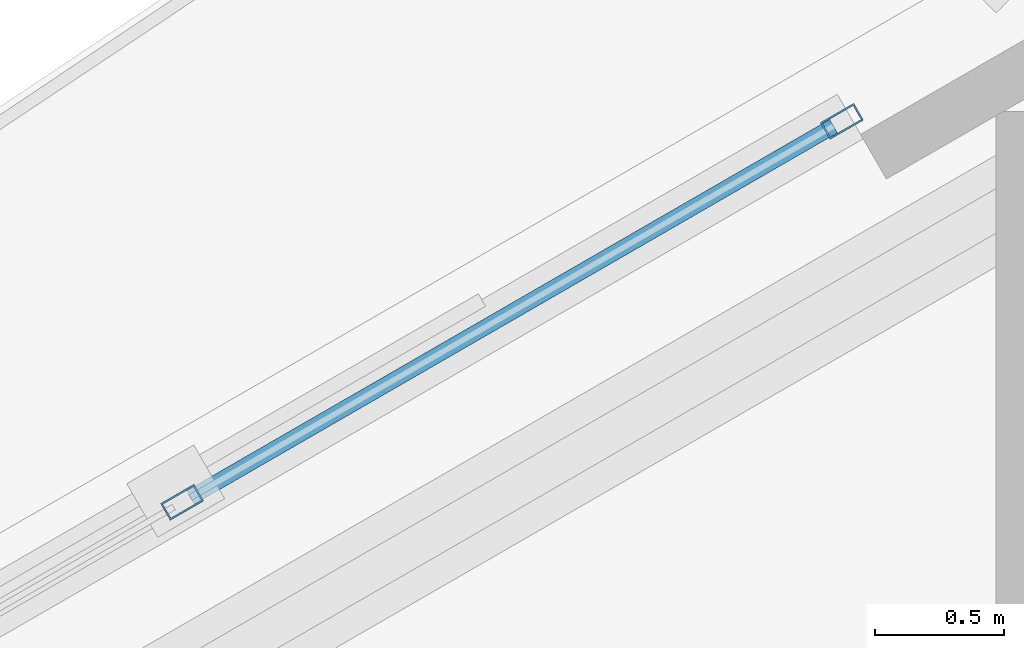
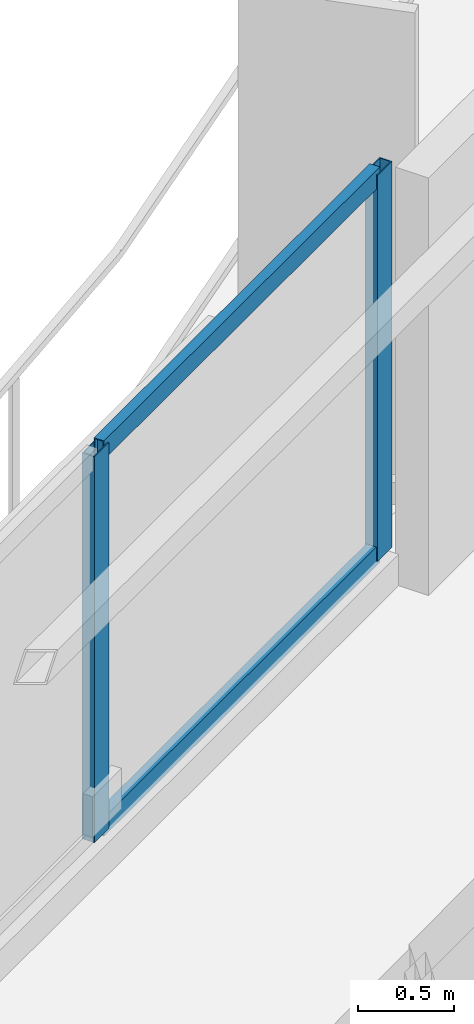
# One storey, part 9 of 19: 4 members, 1 element without a shape of its own.
"""IFC4 building model written with IfcOpenShell, lengths in metres."""

import ifcopenshell
import ifcopenshell.guid

model = None  # the IFC model being written
_history = None  # IfcOwnerHistory: only IFC2X3 demands one
_inside = {}  # id of a spatial element -> (the spatial element, [elements in it])
_under = {}  # id of a project, library or spatial element -> (it, [spatial elements below it])
_declared = {}  # id of a project -> (the project, [libraries it declares])
_typed = {}  # id of a type object -> (the type object, [elements of that type])
_made_of = {}  # id of a material, layer set ... -> (it, [elements and type objects made of it])


def new_model(schema):
    """Start an empty IFC model of exactly this schema.

    Asked for "IFC4X3", IfcOpenShell would pick the latest addendum, in which some entities
    have other attributes; the version numbers below select the first issue.
    IFC2X3 requires an IfcOwnerHistory on every rooted entity: one is made here for all.
    """
    global model, _history
    if schema == "IFC4X3":
        model = ifcopenshell.file(schema_version=(4, 3, 0, 0))
    else:
        model = ifcopenshell.file(schema=schema)
    _inside.clear()
    _under.clear()
    _declared.clear()
    _typed.clear()
    _made_of.clear()
    _history = None
    if model.schema == "IFC2X3":
        org = make("IfcOrganization", Name="unknown")
        user = make(
            "IfcPersonAndOrganization",
            ThePerson=make("IfcPerson", FamilyName="unknown"),
            TheOrganization=org,
        )
        app = make(
            "IfcApplication",
            ApplicationDeveloper=org,
            Version="unknown",
            ApplicationFullName="unknown",
            ApplicationIdentifier="unknown",
        )
        _history = make(
            "IfcOwnerHistory",
            OwningUser=user,
            OwningApplication=app,
            ChangeAction="ADDED",
            CreationDate=0,
        )
    return model


def make(cls, **values):
    """One entity of the class cls with the attributes given. An attribute that is None is left unset."""
    return model.create_entity(
        cls, **{name: value for name, value in values.items() if value is not None}
    )


def rooted(cls, **values):
    """An entity with a GlobalId (a new one), such as an element, a storey or a relation."""
    return make(cls, GlobalId=ifcopenshell.guid.new(), OwnerHistory=_history, **values)


def si_unit(unit_type, name, prefix=None):
    """IfcSIUnit, for example si_unit("LENGTHUNIT", "METRE", prefix="MILLI")."""
    return make("IfcSIUnit", UnitType=unit_type, Prefix=prefix, Name=name)


def assignment(units):
    """IfcUnitAssignment: the units of a project."""
    return None if units is None else make("IfcUnitAssignment", Units=units)


def point(xyz):
    """IfcCartesianPoint."""
    return None if xyz is None else make("IfcCartesianPoint", Coordinates=xyz)


def direction(xyz):
    """IfcDirection."""
    return None if xyz is None else make("IfcDirection", DirectionRatios=xyz)


def frame(location, z_axis=None, x_axis=None):
    """IfcAxis2Placement3D, a coordinate frame: its origin and axes. An axis left out is left unset."""
    return make(
        "IfcAxis2Placement3D",
        Location=point(location),
        Axis=direction(z_axis),
        RefDirection=direction(x_axis),
    )


def frame_2d(location, x_axis=None):
    """IfcAxis2Placement2D, a coordinate frame in the plane: its origin and x axis."""
    return make(
        "IfcAxis2Placement2D", Location=point(location), RefDirection=direction(x_axis)
    )


def origin():
    """The frame at (0, 0, 0) with its axes left unset."""
    return frame((0.0, 0.0, 0.0))


def origin_2d():
    """The frame at (0, 0) in the plane with its x axis left unset."""
    return frame_2d((0.0, 0.0))


def place(relative_to, where):
    """IfcLocalPlacement: puts the frame where relative to a parent placement (None: the world)."""
    return make(
        "IfcLocalPlacement", PlacementRelTo=relative_to, RelativePlacement=where
    )


def context(
    kind, dimensions, precision=None, world=None, true_north=None, identifier=None
):
    """IfcGeometricRepresentationContext, for example the 3D "Model" context."""
    return make(
        "IfcGeometricRepresentationContext",
        ContextIdentifier=identifier,
        ContextType=kind,
        CoordinateSpaceDimension=dimensions,
        Precision=precision,
        WorldCoordinateSystem=world,
        TrueNorth=true_north,
    )


def subcontext(parent, identifier, kind, view, scale=None):
    """IfcGeometricRepresentationSubContext, for example "Body" below "Model"."""
    return make(
        "IfcGeometricRepresentationSubContext",
        ContextIdentifier=identifier,
        ContextType=kind,
        ParentContext=parent,
        TargetScale=scale,
        TargetView=view,
    )


def project(units=None, contexts=None):
    """IfcProject with its units and contexts."""
    return rooted(
        "IfcProject",
        Name="project",
        RepresentationContexts=contexts,
        UnitsInContext=assignment(units),
    )


def spatial(cls, under=None, at=None, **own):
    """A site, building, storey or space (cls), placed at a placement, below another one or the project."""
    s = rooted(cls, ObjectPlacement=at, **own)
    if under is not None:
        _under.setdefault(under.id(), (under, []))[1].append(s)
    return s


def profile(cls, at=None, kind="AREA", **sizes):
    """A parametric profile (cls). Its sizes go by their IFC names, for example OverallWidth=200.0."""
    return make(cls, ProfileType=kind, Position=at, **sizes)


def hollow_rectangle(**sizes):
    """IfcRectangleHollowProfileDef."""
    return profile("IfcRectangleHollowProfileDef", **sizes)


def extrude(swept, where, along, depth):
    """IfcExtrudedAreaSolid: the profile swept, set in the frame where, extruded along a direction by depth."""
    return make(
        "IfcExtrudedAreaSolid",
        SweptArea=swept,
        Position=where,
        ExtrudedDirection=direction(along),
        Depth=depth,
    )


def shape(context_of_items, identifier, shape_type, items):
    """IfcShapeRepresentation: the items that make up one representation, for example the "Body"."""
    return make(
        "IfcShapeRepresentation",
        ContextOfItems=context_of_items,
        RepresentationIdentifier=identifier,
        RepresentationType=shape_type,
        Items=items,
    )


def material(Name=None, Category=None):
    """IfcMaterial."""
    return make("IfcMaterial", Name=Name, Category=Category)


def layer(
    of_material, thickness, ventilated=None, Name=None, Category=None, Priority=None
):
    """IfcMaterialLayer: one layer of a wall or slab, of a material (None: an air gap)."""
    return make(
        "IfcMaterialLayer",
        Material=of_material,
        LayerThickness=thickness,
        IsVentilated=ventilated,
        Name=Name,
        Category=Category,
        Priority=Priority,
    )


def layer_set(layers, Name=None):
    """IfcMaterialLayerSet."""
    return make("IfcMaterialLayerSet", MaterialLayers=layers, LayerSetName=Name)


def material_profile(
    of_material, cross_section, Name=None, Category=None, Priority=None
):
    """IfcMaterialProfile: a cross section and its material."""
    return make(
        "IfcMaterialProfile",
        Name=Name,
        Material=of_material,
        Profile=cross_section,
        Priority=Priority,
        Category=Category,
    )


def profile_set(profiles, Name=None, composite=None):
    """IfcMaterialProfileSet."""
    return make(
        "IfcMaterialProfileSet",
        Name=Name,
        MaterialProfiles=profiles,
        CompositeProfile=composite,
    )


def made_of(thing, what):
    """Note that an element or type object is made of a material, layer set ...; save() writes the relation."""
    if what is not None:
        _made_of.setdefault(what.id(), (what, []))[1].append(thing)
    return thing


def type_object(cls, material=None, **own):
    """A type object (cls), such as IfcWallType, which elements share."""
    return made_of(rooted(cls, **own), material)


def element(
    cls,
    number,
    at=None,
    inside=None,
    cuts=None,
    type_object=None,
    material=None,
    context=None,
    identifier="Body",
    shape_type=None,
    held_by="IfcProductDefinitionShape",
    body=None,
    shapes=None,
    **own,
):
    """One element of the class cls, such as IfcWall. Its Tag is "e" and its number.

    at: its placement. inside: the storey or other place that contains it. cuts: it is an
    opening in that element (IfcRelVoidsElement). A single representation is given by context,
    identifier, shape_type and body (its items); several are given by shapes. held_by: the class
    of the entity that holds the representations. save() writes the other relations.
    """
    e = rooted(cls, Tag="e%d" % number, ObjectPlacement=at, **own)
    if body is not None:
        shapes = [shape(context, identifier, shape_type, body)]
    if shapes is not None:
        e.Representation = make(held_by, Representations=shapes)
    if inside is not None:
        _inside.setdefault(inside.id(), (inside, []))[1].append(e)
    if cuts is not None:
        rooted(
            "IfcRelVoidsElement", RelatingBuildingElement=cuts, RelatedOpeningElement=e
        )
    if type_object is not None:
        _typed.setdefault(type_object.id(), (type_object, []))[1].append(e)
    return made_of(e, material)


def aggregate(whole, parts):
    """IfcRelAggregates: a whole, such as a stair, and the parts it consists of."""
    return rooted("IfcRelAggregates", RelatingObject=whole, RelatedObjects=parts)


def save(model, path):
    """Write the relations noted so far, then the file.

    IfcRelAggregates (storeys below a building ...), IfcRelContainedInSpatialStructure (elements
    in a storey), IfcRelDefinesByType, IfcRelAssociatesMaterial and IfcRelDeclares: one each for
    every whole, place, type object, material and project.
    """
    for whole, parts in _under.values():
        aggregate(whole, parts)
    for where, things in _inside.values():
        rooted(
            "IfcRelContainedInSpatialStructure",
            RelatedElements=things,
            RelatingStructure=where,
        )
    for kind, things in _typed.values():
        rooted("IfcRelDefinesByType", RelatedObjects=things, RelatingType=kind)
    for what, things in _made_of.values():
        rooted("IfcRelAssociatesMaterial", RelatedObjects=things, RelatingMaterial=what)
    for by, libraries in _declared.values():
        rooted("IfcRelDeclares", RelatingContext=by, RelatedDefinitions=libraries)
    model.write(path)


model = new_model("IFC4")

# Units and contexts
model_context = context("Model", 3, precision=1e-05, world=origin(), true_north=direction((0.0, 1.0)))
body_context = subcontext(model_context, "Body", "Model", "MODEL_VIEW")
ifc_project = project(units=[si_unit("LENGTHUNIT", "METRE"), si_unit("AREAUNIT", "SQUARE_METRE"), si_unit("VOLUMEUNIT", "CUBIC_METRE"), si_unit("PLANEANGLEUNIT", "RADIAN"), si_unit("MASSUNIT", "GRAM", prefix="KILO")], contexts=[model_context])

# Site, building, storey
site_placement = place(None, origin())
site = spatial("IfcSite", under=ifc_project, at=site_placement, CompositionType="ELEMENT")
building_placement = place(site_placement, origin())
building = spatial("IfcBuilding", under=site, at=building_placement, Name="Mersakhor Tower and Convention Hall", CompositionType="ELEMENT")
storey_placement = place(building_placement, frame((0.0, 0.0, 42.300048828125)))
storey = spatial("IfcBuildingStorey", under=building, at=storey_placement, Name="L11", CompositionType="ELEMENT", Elevation=42.300048828125)

# Curtain wall, members
ifc_material_1 = material(Name="Dark solar low-E aluminium curtain wall", Category="aluminium")
ifc_layer = layer(ifc_material_1, 0.159912109375)
ifc_layer_set = layer_set([ifc_layer], Name="Dark solar low-E aluminium curtain wall")
curtain_wall_type = type_object("IfcCurtainWallType", Name="CW-SYS-01", PredefinedType="USERDEFINED", material=ifc_layer_set)
curtain_wall_placement = place(storey_placement, origin())
curtain_wall = element("IfcCurtainWall", 1, at=curtain_wall_placement, inside=storey, type_object=curtain_wall_type, Name="L11 Dark-Glass Curtain Wall F1-B2", ObjectType="CURTAIN WALL", PredefinedType="USERDEFINED")
ifc_material_2 = material(Name="Anodised aluminium EN AW-6063 T6", Category="aluminium")
ifc_material_profile_1 = material_profile(ifc_material_2, hollow_rectangle(XDim=0.074951171875, YDim=0.14990234375, WallThickness=0.00634765625, at=origin_2d()), Name="RHS 150x75x6.3")
ifc_profile_set_1 = profile_set([ifc_material_profile_1], Name="Anodised aluminium EN AW-6063 T6")
member_type_1 = type_object("IfcMemberType", Name="CWM-150x75", PredefinedType="MULLION", material=ifc_profile_set_1)
member_1_placement = place(storey_placement, frame((24.167236328125, 41.107177734375, 0.199951171875), z_axis=(0.0, 0.0, 1.0), x_axis=(-0.50000344889, 0.866023412558, 0.0)))
member_1 = element("IfcMember", 2, at=member_1_placement, type_object=member_type_1, Name="CW-01 mullion 4", PredefinedType="MULLION", context=body_context, shape_type="SweptSolid", body=[
    extrude(hollow_rectangle(XDim=0.074951171875, YDim=0.14990234375, WallThickness=0.00634765625, at=origin_2d()), origin(), (0.0, 0.0, 1.0), 2.4599609375),
])
member_2_placement = place(storey_placement, frame((26.72705078125, 42.5849609375, 0.199951171875), z_axis=(0.0, 0.0, 1.0), x_axis=(-0.50000344889, 0.866023412558, 0.0)))
member_2 = element("IfcMember", 3, at=member_2_placement, type_object=member_type_1, Name="CW-01 mullion 5", PredefinedType="MULLION", context=body_context, shape_type="SweptSolid", body=[
    extrude(hollow_rectangle(XDim=0.074951171875, YDim=0.14990234375, WallThickness=0.00634765625, at=origin_2d()), origin(), (0.0, 0.0, 1.0), 2.4599609375),
])
ifc_material_3 = material(Name="Anodised aluminium EN AW-6063 T6", Category="aluminium")
ifc_material_profile_2 = material_profile(ifc_material_3, hollow_rectangle(XDim=0.06005859375, YDim=0.1201171875, WallThickness=0.0048828125, at=origin_2d()), Name="RHS 120x60x5")
ifc_profile_set_2 = profile_set([ifc_material_profile_2], Name="Anodised aluminium EN AW-6063 T6")
member_type_2 = type_object("IfcMemberType", Name="CWT-120x60", PredefinedType="USERDEFINED", material=ifc_profile_set_2)
member_3_placement = place(storey_placement, frame((24.19970703125, 41.1259765625, 0.22998046875), z_axis=(0.866023290103, 0.500003660985, 0.0), x_axis=(-0.500003660985, 0.866023290103, 0.0)))
member_3 = element("IfcMember", 4, at=member_3_placement, type_object=member_type_2, Name="CW-01 transom 4.1", ObjectType="TRANSOM", PredefinedType="USERDEFINED", context=body_context, shape_type="SweptSolid", body=[
    extrude(hollow_rectangle(XDim=0.06005859375, YDim=0.1201171875, WallThickness=0.0048828125, at=origin_2d()), origin(), (0.0, 0.0, 1.0), 2.880859375),
])
member_4_placement = place(storey_placement, frame((24.19970703125, 41.1259765625, 2.6298828125), z_axis=(0.866023290103, 0.500003660985, 0.0), x_axis=(-0.500003660985, 0.866023290103, 0.0)))
member_4 = element("IfcMember", 5, at=member_4_placement, type_object=member_type_2, Name="CW-01 transom 4.2", ObjectType="TRANSOM", PredefinedType="USERDEFINED", context=body_context, shape_type="SweptSolid", body=[
    extrude(hollow_rectangle(XDim=0.06005859375, YDim=0.1201171875, WallThickness=0.0048828125, at=origin_2d()), origin(), (0.0, 0.0, 1.0), 2.880859375),
])
aggregate(curtain_wall, [member_1, member_2, member_3, member_4])

save(model, "model.ifc")
